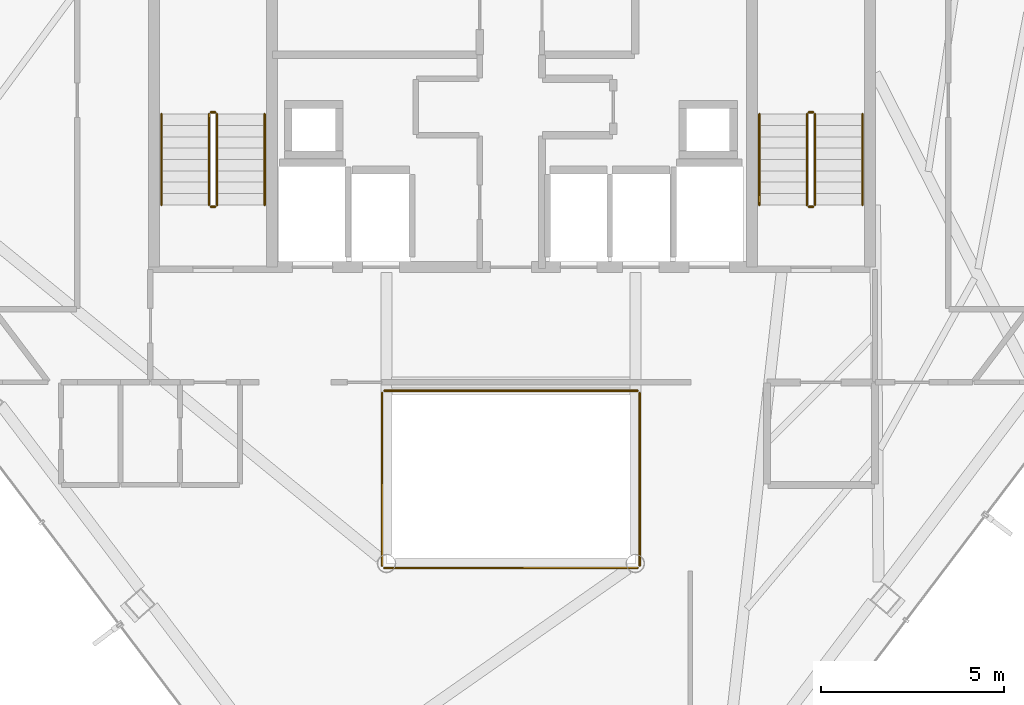
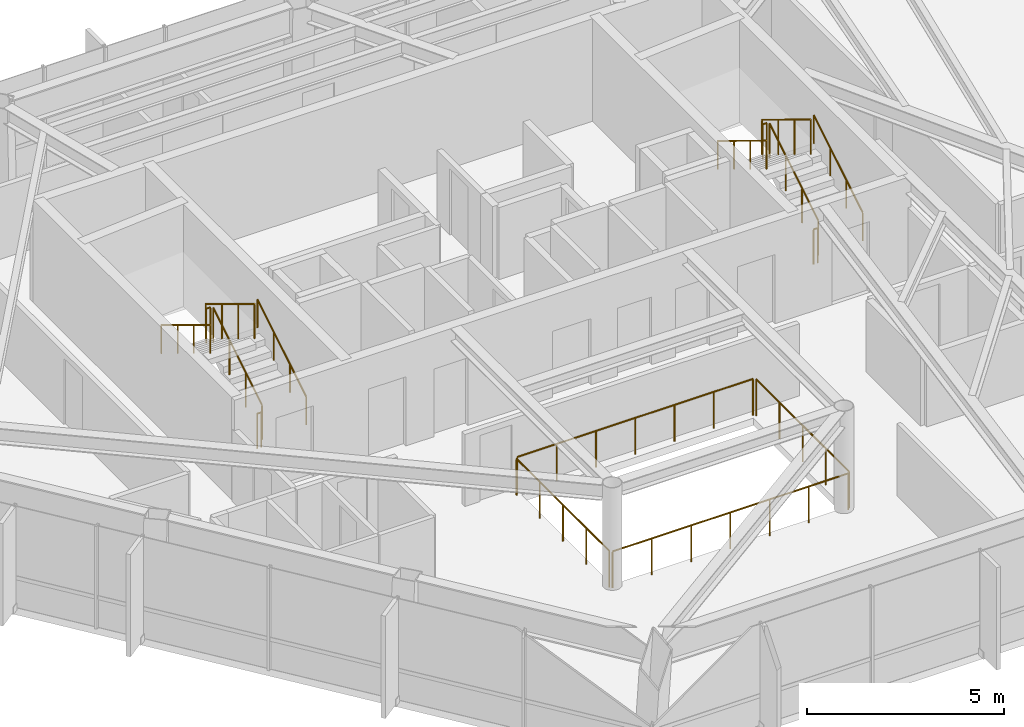
# One storey, part 27 of 27: 16 railings.
"""IFC4 building model written with IfcOpenShell, lengths in metres."""

from ifc_helpers import new_model, si_unit, direction, frame, origin, origin_2d, place, context, subcontext, project, spatial, circle, extrude, material, type_object, element, save


model = new_model("IFC4")

# Units and contexts
model_context = context("Model", 3, precision=1e-05, world=origin(), true_north=direction((0.0, 1.0)))
body_context = subcontext(model_context, "Body", "Model", "MODEL_VIEW")
ifc_project = project(units=[si_unit("LENGTHUNIT", "METRE"), si_unit("AREAUNIT", "SQUARE_METRE"), si_unit("VOLUMEUNIT", "CUBIC_METRE"), si_unit("PLANEANGLEUNIT", "RADIAN"), si_unit("MASSUNIT", "GRAM", prefix="KILO")], contexts=[model_context])

# Site, building, storey
site_placement = place(None, origin())
site = spatial("IfcSite", under=ifc_project, at=site_placement, CompositionType="ELEMENT")
building_placement = place(site_placement, origin())
building = spatial("IfcBuilding", under=site, at=building_placement, Name="Zarrinselat Tower", CompositionType="ELEMENT")
storey_placement = place(building_placement, frame((0.0, 0.0, 215.56005859375)))
storey = spatial("IfcBuildingStorey", under=building, at=storey_placement, Name="L53", CompositionType="ELEMENT", Elevation=215.56005859375)

# Railings
ifc_material_1 = material(Name="Double Low-E Laminated Solar Glass", Category="glass")
railing_type_1 = type_object("IfcRailingType", Name="RLG-ATRIUM-BAL", PredefinedType="BALUSTRADE", material=ifc_material_1)
railing_1_placement = place(storey_placement, frame((34.93994140625, 25.080078125, 0.0)))
element("IfcRailing", 1, at=railing_1_placement, inside=storey, type_object=railing_type_1, Name="L53 Atrium Void Glass Balustrade S", PredefinedType="BALUSTRADE", context=body_context, shape_type="SweptSolid", body=[
    extrude(circle(Radius=0.02392578125, at=origin_2d()), frame((0.0, 0.0, 1.1259765625), z_axis=(1.0, 0.0, 0.0), x_axis=(0.0, 1.0, 0.0)), (0.0, 0.0, 1.0), 6.920166015625),
    extrude(circle(Radius=0.02099609375, at=origin_2d()), origin(), (0.0, 0.0, 1.0), 1.099853515625),
    extrude(circle(Radius=0.02099609375, at=origin_2d()), frame((1.1533203125, 0.0, 0.0)), (0.0, 0.0, 1.0), 1.099853515625),
    extrude(circle(Radius=0.02099609375, at=origin_2d()), frame((2.306640625, 0.0, 0.0)), (0.0, 0.0, 1.0), 1.099853515625),
    extrude(circle(Radius=0.02099609375, at=origin_2d()), frame((3.4599609375, 0.0, 0.0)), (0.0, 0.0, 1.0), 1.099853515625),
    extrude(circle(Radius=0.02099609375, at=origin_2d()), frame((4.613525390625, 0.0, 0.0)), (0.0, 0.0, 1.0), 1.099853515625),
    extrude(circle(Radius=0.02099609375, at=origin_2d()), frame((5.766845703125, 0.0, 0.0)), (0.0, 0.0, 1.0), 1.099853515625),
    extrude(circle(Radius=0.02099609375, at=origin_2d()), frame((6.920166015625, 0.0, 0.0)), (0.0, 0.0, 1.0), 1.099853515625),
])
railing_2_placement = place(storey_placement, frame((41.919921875, 25.139892578125, 0.0)))
element("IfcRailing", 2, at=railing_2_placement, inside=storey, type_object=railing_type_1, Name="L53 Atrium Void Glass Balustrade E", PredefinedType="BALUSTRADE", context=body_context, shape_type="SweptSolid", body=[
    extrude(circle(Radius=0.02392578125, at=origin_2d()), frame((0.0, 0.0, 1.1259765625), z_axis=(0.0, 1.0, 0.0), x_axis=(-1.0, 0.0, 0.0)), (0.0, 0.0, 1.0), 4.72021484375),
    extrude(circle(Radius=0.02099609375, at=origin_2d()), origin(), (0.0, 0.0, 1.0), 1.099853515625),
    extrude(circle(Radius=0.02099609375, at=origin_2d()), frame((0.0, 1.18017578125, 0.0)), (0.0, 0.0, 1.0), 1.099853515625),
    extrude(circle(Radius=0.02099609375, at=origin_2d()), frame((0.0, 2.360107421875, 0.0)), (0.0, 0.0, 1.0), 1.099853515625),
    extrude(circle(Radius=0.02099609375, at=origin_2d()), frame((0.0, 3.5400390625, 0.0)), (0.0, 0.0, 1.0), 1.099853515625),
    extrude(circle(Radius=0.02099609375, at=origin_2d()), frame((0.0, 4.72021484375, 0.0)), (0.0, 0.0, 1.0), 1.099853515625),
])
railing_3_placement = place(storey_placement, frame((41.860107421875, 29.919921875, 0.0)))
element("IfcRailing", 3, at=railing_3_placement, inside=storey, type_object=railing_type_1, Name="L53 Atrium Void Glass Balustrade N", PredefinedType="BALUSTRADE", context=body_context, shape_type="SweptSolid", body=[
    extrude(circle(Radius=0.02392578125, at=origin_2d()), frame((0.0, 0.0, 1.1259765625), z_axis=(-1.0, 0.0, 0.0), x_axis=(0.0, -1.0, 0.0)), (0.0, 0.0, 1.0), 6.920166015625),
    extrude(circle(Radius=0.02099609375, at=origin_2d()), origin(), (0.0, 0.0, 1.0), 1.099853515625),
    extrude(circle(Radius=0.02099609375, at=origin_2d()), frame((-1.1533203125, 0.0, 0.0)), (0.0, 0.0, 1.0), 1.099853515625),
    extrude(circle(Radius=0.02099609375, at=origin_2d()), frame((-2.306640625, 0.0, 0.0)), (0.0, 0.0, 1.0), 1.099853515625),
    extrude(circle(Radius=0.02099609375, at=origin_2d()), frame((-3.4599609375, 0.0, 0.0)), (0.0, 0.0, 1.0), 1.099853515625),
    extrude(circle(Radius=0.02099609375, at=origin_2d()), frame((-4.613525390625, 0.0, 0.0)), (0.0, 0.0, 1.0), 1.099853515625),
    extrude(circle(Radius=0.02099609375, at=origin_2d()), frame((-5.766845703125, 0.0, 0.0)), (0.0, 0.0, 1.0), 1.099853515625),
    extrude(circle(Radius=0.02099609375, at=origin_2d()), frame((-6.920166015625, 0.0, 0.0)), (0.0, 0.0, 1.0), 1.099853515625),
])
railing_4_placement = place(storey_placement, frame((34.8798828125, 29.860107421875, 0.0)))
element("IfcRailing", 4, at=railing_4_placement, inside=storey, type_object=railing_type_1, Name="L53 Atrium Void Glass Balustrade W", PredefinedType="BALUSTRADE", context=body_context, shape_type="SweptSolid", body=[
    extrude(circle(Radius=0.02392578125, at=origin_2d()), frame((0.0, 0.0, 1.1259765625), z_axis=(0.0, -1.0, 0.0), x_axis=(1.0, 0.0, 0.0)), (0.0, 0.0, 1.0), 4.72021484375),
    extrude(circle(Radius=0.02099609375, at=origin_2d()), origin(), (0.0, 0.0, 1.0), 1.099853515625),
    extrude(circle(Radius=0.02099609375, at=origin_2d()), frame((0.0, -1.18017578125, 0.0)), (0.0, 0.0, 1.0), 1.099853515625),
    extrude(circle(Radius=0.02099609375, at=origin_2d()), frame((0.0, -2.360107421875, 0.0)), (0.0, 0.0, 1.0), 1.099853515625),
    extrude(circle(Radius=0.02099609375, at=origin_2d()), frame((0.0, -3.5400390625, 0.0)), (0.0, 0.0, 1.0), 1.099853515625),
    extrude(circle(Radius=0.02099609375, at=origin_2d()), frame((0.0, -4.72021484375, 0.0)), (0.0, 0.0, 1.0), 1.099853515625),
])
ifc_material_2 = material(Name="Steel S355J2", Category="steel")
railing_type_2 = type_object("IfcRailingType", Name="RLG-STAIR-GUARD", PredefinedType="GUARDRAIL", material=ifc_material_2)
railing_5_placement = place(storey_placement, frame((30.3701171875, 35.0, 0.188720703125)))
element("IfcRailing", 5, at=railing_5_placement, inside=storey, type_object=railing_type_2, Name="L53 ST-1 stair guard 1", PredefinedType="GUARDRAIL", context=body_context, shape_type="SweptSolid", body=[
    extrude(circle(Radius=0.02392578125, at=origin_2d()), frame((0.0, 0.0, 1.076171875), z_axis=(0.0, 0.853941963558, 0.520368256982), x_axis=(-1.0, 0.0, 0.0)), (0.0, 0.0, 1.0), 2.904052734375),
    extrude(circle(Radius=0.02099609375, at=origin_2d()), origin(), (0.0, 0.0, 1.0), 1.050048828125),
    extrude(circle(Radius=0.02099609375, at=origin_2d()), frame((0.0, 0.82666015625, 0.503662109375)), (0.0, 0.0, 1.0), 1.050048828125),
    extrude(circle(Radius=0.02099609375, at=origin_2d()), frame((0.0, 1.6533203125, 1.007568359375)), (0.0, 0.0, 1.0), 1.050048828125),
    extrude(circle(Radius=0.02099609375, at=origin_2d()), frame((0.0, 2.47998046875, 1.51123046875)), (0.0, 0.0, 1.0), 1.050048828125),
])
railing_6_placement = place(storey_placement, frame((30.320068359375, 37.530029296875, 1.699951171875)))
element("IfcRailing", 6, at=railing_6_placement, inside=storey, type_object=railing_type_2, Name="L53 ST-1 stair guard 2", PredefinedType="GUARDRAIL", context=body_context, shape_type="SweptSolid", body=[
    extrude(circle(Radius=0.02392578125, at=origin_2d()), frame((0.0, 0.0, 1.076171875), z_axis=(-1.0, 0.0, 0.0), x_axis=(0.0, -1.0, 0.0)), (0.0, 0.0, 1.0), 0.1201171875),
    extrude(circle(Radius=0.02099609375, at=origin_2d()), origin(), (0.0, 0.0, 1.0), 1.050048828125),
    extrude(circle(Radius=0.02099609375, at=origin_2d()), frame((-0.1201171875, 0.0, 0.0)), (0.0, 0.0, 1.0), 1.050048828125),
])
railing_7_placement = place(storey_placement, frame((30.14990234375, 37.47998046875, 1.888916015625)))
element("IfcRailing", 7, at=railing_7_placement, inside=storey, type_object=railing_type_2, Name="L53 ST-1 stair guard 3", PredefinedType="GUARDRAIL", context=body_context, shape_type="SweptSolid", body=[
    extrude(circle(Radius=0.02392578125, at=origin_2d()), frame((0.0, 0.0, 1.076171875), z_axis=(0.0, -0.8539793189, 0.520306950647), x_axis=(1.0, 0.0, 0.0)), (0.0, 0.0, 1.0), 2.904052734375),
    extrude(circle(Radius=0.02099609375, at=origin_2d()), origin(), (0.0, 0.0, 1.0), 1.050048828125),
    extrude(circle(Radius=0.02099609375, at=origin_2d()), frame((0.0, -0.82666015625, 0.503662109375)), (0.0, 0.0, 1.0), 1.050048828125),
    extrude(circle(Radius=0.02099609375, at=origin_2d()), frame((0.0, -1.6533203125, 1.00732421875)), (0.0, 0.0, 1.0), 1.050048828125),
    extrude(circle(Radius=0.02099609375, at=origin_2d()), frame((0.0, -2.47998046875, 1.510986328125)), (0.0, 0.0, 1.0), 1.050048828125),
])
railing_8_placement = place(storey_placement, frame((30.320068359375, 34.949951171875, 0.0)))
element("IfcRailing", 8, at=railing_8_placement, inside=storey, type_object=railing_type_2, Name="L53 ST-1 stair guard 4", PredefinedType="GUARDRAIL", context=body_context, shape_type="SweptSolid", body=[
    extrude(circle(Radius=0.02392578125, at=origin_2d()), frame((0.0, 0.0, 1.076171875), z_axis=(-1.0, 0.0, 0.0), x_axis=(0.0, -1.0, 0.0)), (0.0, 0.0, 1.0), 0.1201171875),
    extrude(circle(Radius=0.02099609375, at=origin_2d()), origin(), (0.0, 0.0, 1.0), 1.050048828125),
    extrude(circle(Radius=0.02099609375, at=origin_2d()), frame((-0.1201171875, 0.0, 0.0)), (0.0, 0.0, 1.0), 1.050048828125),
])
railing_9_placement = place(storey_placement, frame((46.7099609375, 35.0, 0.188720703125)))
element("IfcRailing", 9, at=railing_9_placement, inside=storey, type_object=railing_type_2, Name="L53 ST-2 stair guard 1", PredefinedType="GUARDRAIL", context=body_context, shape_type="SweptSolid", body=[
    extrude(circle(Radius=0.02392578125, at=origin_2d()), frame((0.0, 0.0, 1.076171875), z_axis=(0.0, 0.853941963558, 0.520368256982), x_axis=(-1.0, 0.0, 0.0)), (0.0, 0.0, 1.0), 2.904052734375),
    extrude(circle(Radius=0.02099609375, at=origin_2d()), origin(), (0.0, 0.0, 1.0), 1.050048828125),
    extrude(circle(Radius=0.02099609375, at=origin_2d()), frame((0.0, 0.82666015625, 0.503662109375)), (0.0, 0.0, 1.0), 1.050048828125),
    extrude(circle(Radius=0.02099609375, at=origin_2d()), frame((0.0, 1.6533203125, 1.007568359375)), (0.0, 0.0, 1.0), 1.050048828125),
    extrude(circle(Radius=0.02099609375, at=origin_2d()), frame((0.0, 2.47998046875, 1.51123046875)), (0.0, 0.0, 1.0), 1.050048828125),
])
railing_10_placement = place(storey_placement, frame((46.659912109375, 37.530029296875, 1.699951171875)))
element("IfcRailing", 10, at=railing_10_placement, inside=storey, type_object=railing_type_2, Name="L53 ST-2 stair guard 2", PredefinedType="GUARDRAIL", context=body_context, shape_type="SweptSolid", body=[
    extrude(circle(Radius=0.02392578125, at=origin_2d()), frame((0.0, 0.0, 1.076171875), z_axis=(-1.0, 0.0, 0.0), x_axis=(0.0, -1.0, 0.0)), (0.0, 0.0, 1.0), 0.119873046875),
    extrude(circle(Radius=0.02099609375, at=origin_2d()), origin(), (0.0, 0.0, 1.0), 1.050048828125),
    extrude(circle(Radius=0.02099609375, at=origin_2d()), frame((-0.119873046875, 0.0, 0.0)), (0.0, 0.0, 1.0), 1.050048828125),
])
railing_11_placement = place(storey_placement, frame((46.489990234375, 37.47998046875, 1.888916015625)))
element("IfcRailing", 11, at=railing_11_placement, inside=storey, type_object=railing_type_2, Name="L53 ST-2 stair guard 3", PredefinedType="GUARDRAIL", context=body_context, shape_type="SweptSolid", body=[
    extrude(circle(Radius=0.02392578125, at=origin_2d()), frame((0.0, 0.0, 1.076171875), z_axis=(0.0, -0.8539793189, 0.520306950647), x_axis=(1.0, 0.0, 0.0)), (0.0, 0.0, 1.0), 2.904052734375),
    extrude(circle(Radius=0.02099609375, at=origin_2d()), origin(), (0.0, 0.0, 1.0), 1.050048828125),
    extrude(circle(Radius=0.02099609375, at=origin_2d()), frame((0.0, -0.82666015625, 0.503662109375)), (0.0, 0.0, 1.0), 1.050048828125),
    extrude(circle(Radius=0.02099609375, at=origin_2d()), frame((0.0, -1.6533203125, 1.00732421875)), (0.0, 0.0, 1.0), 1.050048828125),
    extrude(circle(Radius=0.02099609375, at=origin_2d()), frame((0.0, -2.47998046875, 1.510986328125)), (0.0, 0.0, 1.0), 1.050048828125),
])
railing_12_placement = place(storey_placement, frame((46.659912109375, 34.949951171875, 0.0)))
element("IfcRailing", 12, at=railing_12_placement, inside=storey, type_object=railing_type_2, Name="L53 ST-2 stair guard 4", PredefinedType="GUARDRAIL", context=body_context, shape_type="SweptSolid", body=[
    extrude(circle(Radius=0.02392578125, at=origin_2d()), frame((0.0, 0.0, 1.076171875), z_axis=(-1.0, 0.0, 0.0), x_axis=(0.0, -1.0, 0.0)), (0.0, 0.0, 1.0), 0.119873046875),
    extrude(circle(Radius=0.02099609375, at=origin_2d()), origin(), (0.0, 0.0, 1.0), 1.050048828125),
    extrude(circle(Radius=0.02099609375, at=origin_2d()), frame((-0.119873046875, 0.0, 0.0)), (0.0, 0.0, 1.0), 1.050048828125),
])
ifc_material_3 = material(Name="Steel S355J2", Category="steel")
railing_type_3 = type_object("IfcRailingType", Name="RLG-STAIR-HAND", PredefinedType="HANDRAIL", material=ifc_material_3)
railing_13_placement = place(storey_placement, frame((31.669921875, 35.0, 0.188720703125)))
element("IfcRailing", 13, at=railing_13_placement, inside=storey, type_object=railing_type_3, Name="L53 ST-1 stair handrail 1", PredefinedType="HANDRAIL", context=body_context, shape_type="SweptSolid", body=[
    extrude(circle(Radius=0.02392578125, at=origin_2d()), frame((0.0, 0.0, 0.8759765625), z_axis=(0.0, 0.853941963558, 0.520368256982), x_axis=(-1.0, 0.0, 0.0)), (0.0, 0.0, 1.0), 2.904052734375),
    extrude(circle(Radius=0.02099609375, at=origin_2d()), origin(), (0.0, 0.0, 1.0), 0.849853515625),
    extrude(circle(Radius=0.02099609375, at=origin_2d()), frame((0.0, 0.82666015625, 0.503662109375)), (0.0, 0.0, 1.0), 0.849853515625),
    extrude(circle(Radius=0.02099609375, at=origin_2d()), frame((0.0, 1.6533203125, 1.007568359375)), (0.0, 0.0, 1.0), 0.849853515625),
    extrude(circle(Radius=0.02099609375, at=origin_2d()), frame((0.0, 2.47998046875, 1.51123046875)), (0.0, 0.0, 1.0), 0.849853515625),
])
railing_14_placement = place(storey_placement, frame((28.85009765625, 37.47998046875, 1.888916015625)))
element("IfcRailing", 14, at=railing_14_placement, inside=storey, type_object=railing_type_3, Name="L53 ST-1 stair handrail 2", PredefinedType="HANDRAIL", context=body_context, shape_type="SweptSolid", body=[
    extrude(circle(Radius=0.02392578125, at=origin_2d()), frame((0.0, 0.0, 0.8759765625), z_axis=(0.0, -0.8539793189, 0.520306950647), x_axis=(1.0, 0.0, 0.0)), (0.0, 0.0, 1.0), 2.904052734375),
    extrude(circle(Radius=0.02099609375, at=origin_2d()), origin(), (0.0, 0.0, 1.0), 0.849853515625),
    extrude(circle(Radius=0.02099609375, at=origin_2d()), frame((0.0, -0.82666015625, 0.503662109375)), (0.0, 0.0, 1.0), 0.849853515625),
    extrude(circle(Radius=0.02099609375, at=origin_2d()), frame((0.0, -1.6533203125, 1.00732421875)), (0.0, 0.0, 1.0), 0.849853515625),
    extrude(circle(Radius=0.02099609375, at=origin_2d()), frame((0.0, -2.47998046875, 1.510986328125)), (0.0, 0.0, 1.0), 0.849853515625),
])
railing_15_placement = place(storey_placement, frame((48.010009765625, 35.0, 0.188720703125)))
element("IfcRailing", 15, at=railing_15_placement, inside=storey, type_object=railing_type_3, Name="L53 ST-2 stair handrail 1", PredefinedType="HANDRAIL", context=body_context, shape_type="SweptSolid", body=[
    extrude(circle(Radius=0.02392578125, at=origin_2d()), frame((0.0, 0.0, 0.8759765625), z_axis=(0.0, 0.853941963558, 0.520368256982), x_axis=(-1.0, 0.0, 0.0)), (0.0, 0.0, 1.0), 2.904052734375),
    extrude(circle(Radius=0.02099609375, at=origin_2d()), origin(), (0.0, 0.0, 1.0), 0.849853515625),
    extrude(circle(Radius=0.02099609375, at=origin_2d()), frame((0.0, 0.82666015625, 0.503662109375)), (0.0, 0.0, 1.0), 0.849853515625),
    extrude(circle(Radius=0.02099609375, at=origin_2d()), frame((0.0, 1.6533203125, 1.007568359375)), (0.0, 0.0, 1.0), 0.849853515625),
    extrude(circle(Radius=0.02099609375, at=origin_2d()), frame((0.0, 2.47998046875, 1.51123046875)), (0.0, 0.0, 1.0), 0.849853515625),
])
railing_16_placement = place(storey_placement, frame((45.18994140625, 37.47998046875, 1.888916015625)))
element("IfcRailing", 16, at=railing_16_placement, inside=storey, type_object=railing_type_3, Name="L53 ST-2 stair handrail 2", PredefinedType="HANDRAIL", context=body_context, shape_type="SweptSolid", body=[
    extrude(circle(Radius=0.02392578125, at=origin_2d()), frame((0.0, 0.0, 0.8759765625), z_axis=(0.0, -0.8539793189, 0.520306950647), x_axis=(1.0, 0.0, 0.0)), (0.0, 0.0, 1.0), 2.904052734375),
    extrude(circle(Radius=0.02099609375, at=origin_2d()), origin(), (0.0, 0.0, 1.0), 0.849853515625),
    extrude(circle(Radius=0.02099609375, at=origin_2d()), frame((0.0, -0.82666015625, 0.503662109375)), (0.0, 0.0, 1.0), 0.849853515625),
    extrude(circle(Radius=0.02099609375, at=origin_2d()), frame((0.0, -1.6533203125, 1.00732421875)), (0.0, 0.0, 1.0), 0.849853515625),
    extrude(circle(Radius=0.02099609375, at=origin_2d()), frame((0.0, -2.47998046875, 1.510986328125)), (0.0, 0.0, 1.0), 0.849853515625),
])

save(model, "model.ifc")
